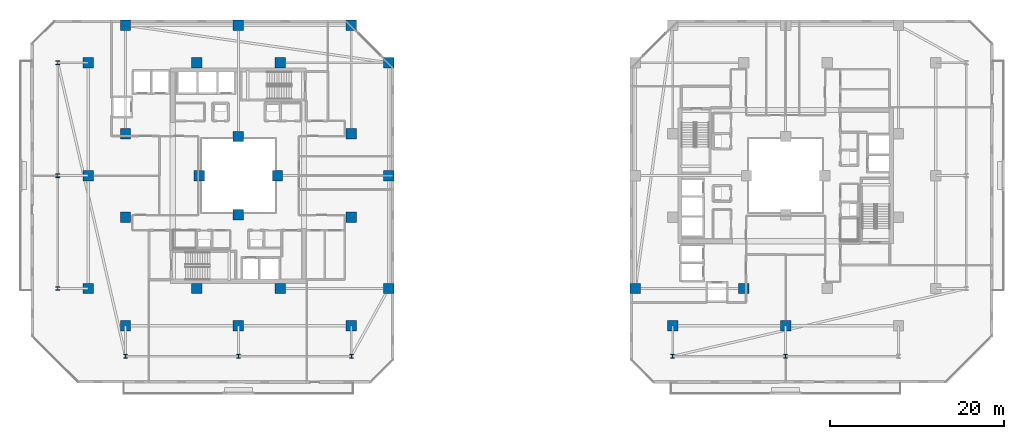
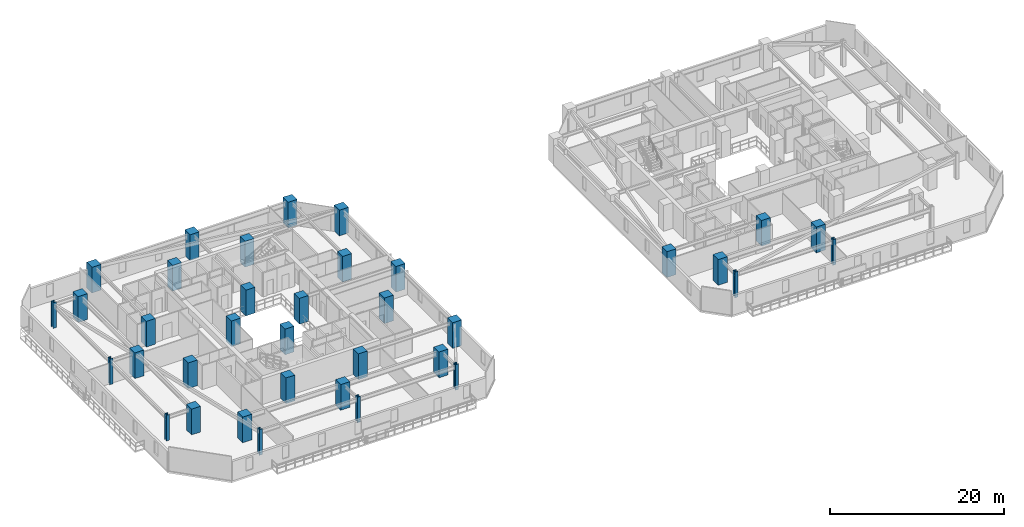
# One storey, part 1 of 33: 36 columns.
"""IFC4 building model written with IfcOpenShell, lengths in metres."""

from ifc_helpers import new_model, si_unit, direction, frame, origin, origin_2d, place, context, subcontext, project, spatial, rectangle, i_section, extrude, material, material_profile, profile_set, type_object, element, save


model = new_model("IFC4")

# Units and contexts
model_context = context("Model", 3, precision=1e-05, world=origin(), true_north=direction((0.0, 1.0)))
body_context = subcontext(model_context, "Body", "Model", "MODEL_VIEW")
ifc_project = project(units=[si_unit("LENGTHUNIT", "METRE"), si_unit("AREAUNIT", "SQUARE_METRE"), si_unit("VOLUMEUNIT", "CUBIC_METRE"), si_unit("PLANEANGLEUNIT", "RADIAN"), si_unit("MASSUNIT", "GRAM", prefix="KILO")], contexts=[model_context])

# Site, building, storey
site_placement = place(None, origin())
site = spatial("IfcSite", under=ifc_project, at=site_placement, CompositionType="ELEMENT")
building_placement = place(site_placement, origin())
building = spatial("IfcBuilding", under=site, at=building_placement, Name="Thornwick Lancets Civic Towers", CompositionType="ELEMENT")
storey_placement = place(building_placement, frame((0.0, 0.0, 130.5)))
storey = spatial("IfcBuildingStorey", under=building, at=storey_placement, Name="L34", CompositionType="ELEMENT", Elevation=130.5)

# Columns
ifc_material_1 = material(Name="Concrete C60/75", Category="concrete")
ifc_material_profile_1 = material_profile(ifc_material_1, rectangle(XDim=1.199951171875, YDim=1.199951171875, at=origin_2d()), Name="RC 1200x1200")
ifc_profile_set_1 = profile_set([ifc_material_profile_1], Name="Concrete C60/75")
column_type_1 = type_object("IfcColumnType", Name="COL_RC_1200", PredefinedType="COLUMN", material=ifc_profile_set_1)
for number, where, z_axis, x_axis, name in (
    (1, (12.5, 9.699951171875, 0.0), (0.0, 0.0, 1.0), (1.0, 0.0, 0.0), "L34 Spine Mega-Column A01"),
    (2, (25.5, 9.699951171875, 0.0), (0.0, 0.0, 1.0), (1.0, 0.0, 0.0), "L34 Spine Mega-Column A02"),
    (3, (38.5, 9.699951171875, 0.0), (0.0, 0.0, 1.0), (1.0, 0.0, 0.0), "L34 Spine Mega-Column A03"),
    (4, (42.800048828125, 14.0, 0.0), (0.0, 0.0, 1.0), (1.0, 0.0, 0.0), "L34 Spine Mega-Column A04"),
    (5, (42.800048828125, 27.0, 0.0), (0.0, 0.0, 1.0), (1.0, 0.0, 0.0), "L34 Spine Mega-Column A05"),
    (6, (42.800048828125, 40.0, 0.0), (0.0, 0.0, 1.0), (1.0, 0.0, 0.0), "L34 Spine Mega-Column A06"),
    (7, (12.5, 44.300048828125, 0.0), (0.0, 0.0, 1.0), (1.0, 0.0, 0.0), "L34 Spine Mega-Column A07"),
    (8, (25.5, 44.300048828125, 0.0), (0.0, 0.0, 1.0), (1.0, 0.0, 0.0), "L34 Spine Mega-Column A08"),
    (9, (38.5, 44.300048828125, 0.0), (0.0, 0.0, 1.0), (1.0, 0.0, 0.0), "L34 Spine Mega-Column A09"),
    (10, (8.199951171875, 14.0, 0.0), (0.0, 0.0, 1.0), (1.0, 0.0, 0.0), "L34 Spine Mega-Column A10"),
    (11, (8.199951171875, 27.0, 0.0), (0.0, 0.0, 1.0), (1.0, 0.0, 0.0), "L34 Spine Mega-Column A11"),
    (12, (8.199951171875, 40.0, 0.0), (0.0, 0.0, 1.0), (1.0, 0.0, 0.0), "L34 Spine Mega-Column A12"),
    (13, (12.5, 22.199951171875, 0.0), (0.0, 0.0, 1.0), (1.0, 0.0, 0.0), "L34 Spine Mega-Column A13"),
    (14, (38.5, 22.199951171875, 0.0), (0.0, 0.0, 1.0), (1.0, 0.0, 0.0), "L34 Spine Mega-Column A14"),
    (15, (12.5, 31.800048828125, 0.0), (0.0, 0.0, 1.0), (1.0, 0.0, 0.0), "L34 Spine Mega-Column A15"),
    (16, (38.5, 31.800048828125, 0.0), (0.0, 0.0, 1.0), (1.0, 0.0, 0.0), "L34 Spine Mega-Column A16"),
    (17, (20.699951171875, 14.0, 0.0), (0.0, 0.0, 1.0), (1.0, 0.0, 0.0), "L34 Spine Mega-Column A17"),
    (18, (30.300048828125, 14.0, 0.0), (0.0, 0.0, 1.0), (1.0, 0.0, 0.0), "L34 Spine Mega-Column A18"),
    (19, (20.699951171875, 40.0, 0.0), (0.0, 0.0, 1.0), (1.0, 0.0, 0.0), "L34 Spine Mega-Column A19"),
    (20, (30.300048828125, 40.0, 0.0), (0.0, 0.0, 1.0), (1.0, 0.0, 0.0), "L34 Spine Mega-Column A20"),
    (21, (25.5, 22.5, 0.0), (0.0, 0.0, 1.0), (1.0, 0.0, 0.0), "L34 Spine Mega-Column A21"),
    (22, (25.5, 31.5, 0.0), (0.0, 0.0, 1.0), (1.0, 0.0, 0.0), "L34 Spine Mega-Column A22"),
    (23, (21.0, 27.0, 0.0), (0.0, 0.0, 1.0), (1.0, 0.0, 0.0), "L34 Spine Mega-Column A23"),
    (24, (30.0, 27.0, 0.0), (0.0, 0.0, 1.0), (1.0, 0.0, 0.0), "L34 Spine Mega-Column A24"),
    (25, (71.199951171875, 14.0, 0.0), (0.0, 0.0, 1.0), (1.0, 0.0, 0.0), "L34 Spine Mega-Column B07"),
    (26, (88.5, 9.699951171875, 0.0), (0.0, 0.0, 1.0), (1.0, 0.0, 0.0), "L34 Spine Mega-Column B11"),
    (27, (75.5, 9.699951171875, 0.0), (0.0, 0.0, 1.0), (1.0, 0.0, 0.0), "L34 Spine Mega-Column B12"),
    (28, (83.699951171875, 14.0, 0.0), (0.0, 0.0, 1.0), (1.0, 0.0, 0.0), "L34 Spine Mega-Column B15"),
):
    element("IfcColumn", number, at=place(storey_placement, frame(where, z_axis=z_axis, x_axis=x_axis)), inside=storey, type_object=column_type_1, Name=name, PredefinedType="COLUMN", context=body_context, shape_type="SweptSolid", body=[
        extrude(rectangle(XDim=1.199951171875, YDim=1.199951171875, at=origin_2d()), origin(), (0.0, 0.0, 1.0), 3.60009765625),
    ])
ifc_material_2 = material(Name="Steel S460M", Category="steel")
ifc_material_profile_2 = material_profile(ifc_material_2, i_section(OverallWidth=0.41845703125, OverallDepth=0.45556640625, WebThickness=0.0419921875, FlangeThickness=0.0673828125, FilletRadius=0.01513671875, at=origin_2d()), Name="UKC 356x406x551")
ifc_profile_set_2 = profile_set([ifc_material_profile_2], Name="Steel S460M")
column_type_2 = type_object("IfcColumnType", Name="COL_UKC_551", PredefinedType="COLUMN", material=ifc_profile_set_2)
for number, where, z_axis, x_axis, name in (
    (29, (12.5, 6.199951171875, 0.0), (0.0, 0.0, 1.0), (1.0, 0.0, 0.0), "L34 Block Perimeter Column A01"),
    (30, (25.5, 6.199951171875, 0.0), (0.0, 0.0, 1.0), (1.0, 0.0, 0.0), "L34 Block Perimeter Column A02"),
    (31, (38.5, 6.199951171875, 0.0), (0.0, 0.0, 1.0), (1.0, 0.0, 0.0), "L34 Block Perimeter Column A03"),
    (32, (4.699951171875, 14.0, 0.0), (0.0, 0.0, 1.0), (1.0, 0.0, 0.0), "L34 Block Perimeter Column A10"),
    (33, (4.699951171875, 27.0, 0.0), (0.0, 0.0, 1.0), (1.0, 0.0, 0.0), "L34 Block Perimeter Column A11"),
    (34, (4.699951171875, 40.0, 0.0), (0.0, 0.0, 1.0), (1.0, 0.0, 0.0), "L34 Block Perimeter Column A12"),
    (35, (88.5, 6.199951171875, 0.0), (0.0, 0.0, 1.0), (1.0, 0.0, 0.0), "L34 Block Perimeter Column B11"),
    (36, (75.5, 6.199951171875, 0.0), (0.0, 0.0, 1.0), (1.0, 0.0, 0.0), "L34 Block Perimeter Column B12"),
):
    element("IfcColumn", number, at=place(storey_placement, frame(where, z_axis=z_axis, x_axis=x_axis)), inside=storey, type_object=column_type_2, Name=name, PredefinedType="COLUMN", context=body_context, shape_type="SweptSolid", body=[
        extrude(i_section(OverallWidth=0.41845703125, OverallDepth=0.45556640625, WebThickness=0.0419921875, FlangeThickness=0.0673828125, FilletRadius=0.01513671875, at=origin_2d()), origin(), (0.0, 0.0, 1.0), 3.60009765625),
    ])

save(model, "model.ifc")
